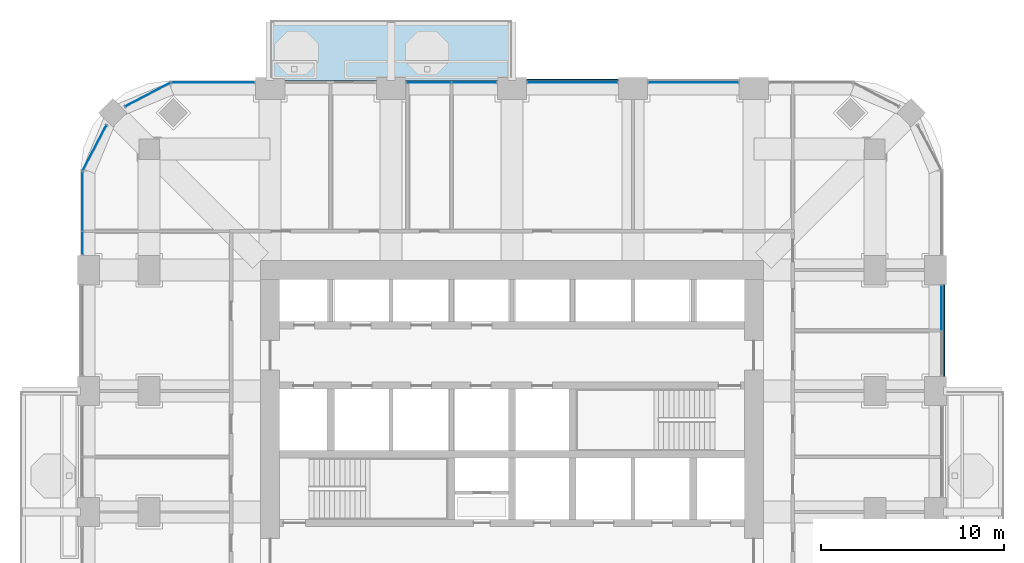
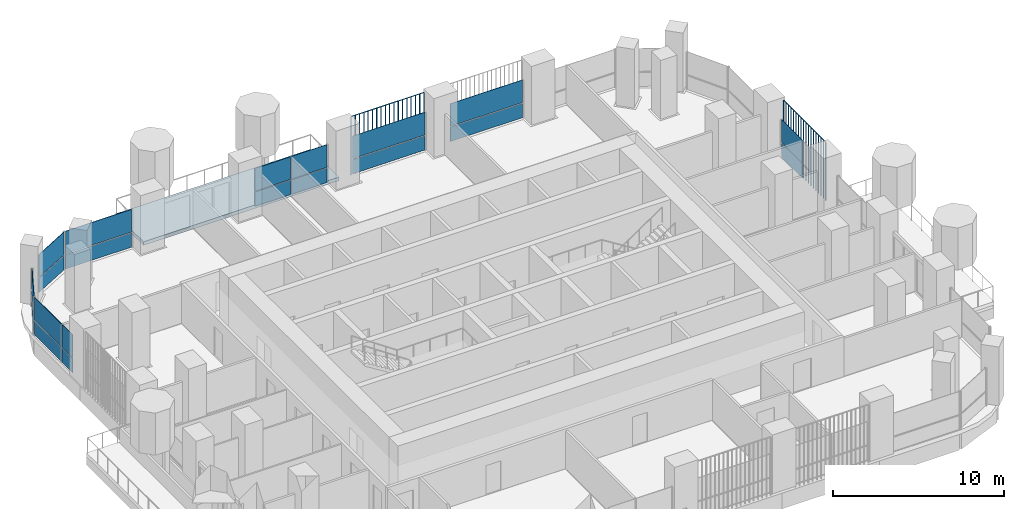
# One storey, part 10 of 20: 22 plates, 1 slab, 8 elements without a shape of their own.
"""IFC4 building model written with IfcOpenShell, lengths in metres."""

from ifc_helpers import new_model, si_unit, direction, frame, origin, origin_2d, place, context, subcontext, project, spatial, polyline, rectangle, outline, extrude, material, layer, layer_set, type_object, element, aggregate, save


model = new_model("IFC4")

# Units and contexts
model_context = context("Model", 3, precision=1e-05, world=origin(), true_north=direction((0.0, 1.0)))
body_context = subcontext(model_context, "Body", "Model", "MODEL_VIEW")
ifc_project = project(units=[si_unit("LENGTHUNIT", "METRE"), si_unit("AREAUNIT", "SQUARE_METRE"), si_unit("VOLUMEUNIT", "CUBIC_METRE"), si_unit("PLANEANGLEUNIT", "RADIAN"), si_unit("MASSUNIT", "GRAM", prefix="KILO")], contexts=[model_context])

# Site, building, storey
site_placement = place(None, origin())
site = spatial("IfcSite", under=ifc_project, at=site_placement, CompositionType="ELEMENT")
building_placement = place(site_placement, origin())
building = spatial("IfcBuilding", under=site, at=building_placement, Name="Cobogo Forest Laboratory Tower", CompositionType="ELEMENT")
storey_placement = place(building_placement, frame((0.0, 0.0, 176.699951171875)))
storey = spatial("IfcBuildingStorey", under=building, at=storey_placement, Name="L40", CompositionType="ELEMENT", Elevation=176.699951171875)

# Slab
ifc_material_1 = material(Name="Concrete HA-40 (C40/50)", Category="concrete")
ifc_layer_1 = layer(ifc_material_1, 0.25)
ifc_layer_set_1 = layer_set([ifc_layer_1], Name="Balcony slab 250")
slab_type = type_object("IfcSlabType", Name="Balcony slab 250", PredefinedType="FLOOR", material=ifc_layer_set_1)
slab_placement = place(storey_placement, frame((0.0, 0.0, -0.25)))
element("IfcSlab", 1, at=slab_placement, inside=storey, type_object=slab_type, Name="Balcony BAL-N1 L40", PredefinedType="FLOOR", context=body_context, shape_type="SweptSolid", body=[
    extrude(outline(polyline([(13.199951171875, 43.35009765625), (26.39990234375, 43.35009765625), (26.39990234375, 46.64990234375), (13.199951171875, 46.64990234375), (13.199951171875, 43.35009765625)])), origin(), (0.0, 0.0, 1.0), 0.25),
])

# Curtain wall, plates
ifc_material_2 = material(Name="Aluminium curtain wall", Category="aluminium")
curtain_wall_type = type_object("IfcCurtainWallType", Name="CW-2 unitised curtain wall, solar control glazing, laboratory floors zones C and D", PredefinedType="USERDEFINED", material=ifc_material_2)
curtain_wall_1_placement = place(storey_placement, origin())
curtain_wall_1 = element("IfcCurtainWall", 2, at=curtain_wall_1_placement, inside=storey, type_object=curtain_wall_type, Name="Curtain wall 12 L40", ObjectType="UNITISED CURTAIN WALL", PredefinedType="USERDEFINED")
ifc_material_3 = material(Name="Solar control insulated glass", Category="glass")
ifc_layer_2 = layer(ifc_material_3, 0.031982421875)
ifc_layer_set_2 = layer_set([ifc_layer_2], Name="GP-2 solar control glass unit 32")
plate_type_1 = type_object("IfcPlateType", Name="GP-2 solar control glass unit 32", PredefinedType="CURTAIN_PANEL", material=ifc_layer_set_2)
plate_1_placement = place(storey_placement, frame((49.85009765625, 30.93505859375, 0.0), z_axis=(0.0, 0.0, 1.0), x_axis=(0.0, 1.0, 0.0)))
plate_1 = element("IfcPlate", 3, at=plate_1_placement, type_object=plate_type_1, Name="CW-2 panel 2.1", PredefinedType="CURTAIN_PANEL", context=body_context, shape_type="SweptSolid", body=[
    extrude(rectangle(XDim=2.409912109375, YDim=0.031982421875, at=origin_2d()), origin(), (0.0, 0.0, 1.0), 1.02001953125),
])
plate_2_placement = place(storey_placement, frame((49.85009765625, 30.93505859375, 1.080078125), z_axis=(0.0, 0.0, 1.0), x_axis=(0.0, 1.0, 0.0)))
plate_2 = element("IfcPlate", 4, at=plate_2_placement, type_object=plate_type_1, Name="CW-2 panel 2.2", PredefinedType="CURTAIN_PANEL", context=body_context, shape_type="SweptSolid", body=[
    extrude(rectangle(XDim=2.409912109375, YDim=0.031982421875, at=origin_2d()), origin(), (0.0, 0.0, 1.0), 1.6201171875),
])
aggregate(curtain_wall_1, [plate_1, plate_2])

curtain_wall_2_placement = place(storey_placement, origin())
curtain_wall_2 = element("IfcCurtainWall", 5, at=curtain_wall_2_placement, inside=storey, type_object=curtain_wall_type, Name="Curtain wall 17 L40", ObjectType="UNITISED CURTAIN WALL", PredefinedType="USERDEFINED")
plate_3_placement = place(storey_placement, frame((36.300048828125, 43.25, 0.0), z_axis=(0.0, 0.0, 1.0), x_axis=(-1.0, 0.0, 0.0)))
plate_3 = element("IfcPlate", 6, at=plate_3_placement, type_object=plate_type_1, Name="CW-2 panel 1.1", PredefinedType="CURTAIN_PANEL", context=body_context, shape_type="SweptSolid", body=[
    extrude(rectangle(XDim=4.8798828125, YDim=0.031982421875, at=origin_2d()), origin(), (0.0, 0.0, 1.0), 1.02001953125),
])
plate_4_placement = place(storey_placement, frame((36.300048828125, 43.25, 1.080078125), z_axis=(0.0, 0.0, 1.0), x_axis=(-1.0, 0.0, 0.0)))
plate_4 = element("IfcPlate", 7, at=plate_4_placement, type_object=plate_type_1, Name="CW-2 panel 1.2", PredefinedType="CURTAIN_PANEL", context=body_context, shape_type="SweptSolid", body=[
    extrude(rectangle(XDim=4.8798828125, YDim=0.031982421875, at=origin_2d()), origin(), (0.0, 0.0, 1.0), 1.6201171875),
])
aggregate(curtain_wall_2, [plate_3, plate_4])

curtain_wall_3_placement = place(storey_placement, origin())
curtain_wall_3 = element("IfcCurtainWall", 8, at=curtain_wall_3_placement, inside=storey, type_object=curtain_wall_type, Name="Curtain wall 18 L40", ObjectType="UNITISED CURTAIN WALL", PredefinedType="USERDEFINED")
plate_5_placement = place(storey_placement, frame((29.699951171875, 43.25, 0.0), z_axis=(0.0, 0.0, 1.0), x_axis=(-1.0, 0.0, 0.0)))
plate_5 = element("IfcPlate", 9, at=plate_5_placement, type_object=plate_type_1, Name="CW-2 panel 1.1", PredefinedType="CURTAIN_PANEL", context=body_context, shape_type="SweptSolid", body=[
    extrude(rectangle(XDim=4.8798828125, YDim=0.031982421875, at=origin_2d()), origin(), (0.0, 0.0, 1.0), 1.02001953125),
])
plate_6_placement = place(storey_placement, frame((29.699951171875, 43.25, 1.080078125), z_axis=(0.0, 0.0, 1.0), x_axis=(-1.0, 0.0, 0.0)))
plate_6 = element("IfcPlate", 10, at=plate_6_placement, type_object=plate_type_1, Name="CW-2 panel 1.2", PredefinedType="CURTAIN_PANEL", context=body_context, shape_type="SweptSolid", body=[
    extrude(rectangle(XDim=4.8798828125, YDim=0.031982421875, at=origin_2d()), origin(), (0.0, 0.0, 1.0), 1.6201171875),
])
aggregate(curtain_wall_3, [plate_5, plate_6])

curtain_wall_4_placement = place(storey_placement, origin())
curtain_wall_4 = element("IfcCurtainWall", 11, at=curtain_wall_4_placement, inside=storey, type_object=curtain_wall_type, Name="Curtain wall 19 L40", ObjectType="UNITISED CURTAIN WALL", PredefinedType="USERDEFINED")
plate_7_placement = place(storey_placement, frame((24.3349609375, 43.25, 0.0), z_axis=(0.0, 0.0, 1.0), x_axis=(-1.0, 0.0, 0.0)))
plate_7 = element("IfcPlate", 12, at=plate_7_placement, type_object=plate_type_1, Name="CW-2 panel 1.1", PredefinedType="CURTAIN_PANEL", context=body_context, shape_type="SweptSolid", body=[
    extrude(rectangle(XDim=2.409912109375, YDim=0.031982421875, at=origin_2d()), origin(), (0.0, 0.0, 1.0), 1.02001953125),
])
plate_8_placement = place(storey_placement, frame((24.3349609375, 43.25, 1.080078125), z_axis=(0.0, 0.0, 1.0), x_axis=(-1.0, 0.0, 0.0)))
plate_8 = element("IfcPlate", 13, at=plate_8_placement, type_object=plate_type_1, Name="CW-2 panel 1.2", PredefinedType="CURTAIN_PANEL", context=body_context, shape_type="SweptSolid", body=[
    extrude(rectangle(XDim=2.409912109375, YDim=0.031982421875, at=origin_2d()), origin(), (0.0, 0.0, 1.0), 1.6201171875),
])
plate_9_placement = place(storey_placement, frame((21.864990234375, 43.25, 0.0), z_axis=(0.0, 0.0, 1.0), x_axis=(-1.0, 0.0, 0.0)))
plate_9 = element("IfcPlate", 14, at=plate_9_placement, type_object=plate_type_1, Name="CW-2 panel 2.1", PredefinedType="CURTAIN_PANEL", context=body_context, shape_type="SweptSolid", body=[
    extrude(rectangle(XDim=2.409912109375, YDim=0.031982421875, at=origin_2d()), origin(), (0.0, 0.0, 1.0), 1.02001953125),
])
plate_10_placement = place(storey_placement, frame((21.864990234375, 43.25, 1.080078125), z_axis=(0.0, 0.0, 1.0), x_axis=(-1.0, 0.0, 0.0)))
plate_10 = element("IfcPlate", 15, at=plate_10_placement, type_object=plate_type_1, Name="CW-2 panel 2.2", PredefinedType="CURTAIN_PANEL", context=body_context, shape_type="SweptSolid", body=[
    extrude(rectangle(XDim=2.409912109375, YDim=0.031982421875, at=origin_2d()), origin(), (0.0, 0.0, 1.0), 1.6201171875),
])
aggregate(curtain_wall_4, [plate_7, plate_8, plate_9, plate_10])

curtain_wall_5_placement = place(storey_placement, origin())
curtain_wall_5 = element("IfcCurtainWall", 16, at=curtain_wall_5_placement, inside=storey, type_object=curtain_wall_type, Name="Curtain wall 21 L40", ObjectType="UNITISED CURTAIN WALL", PredefinedType="USERDEFINED")
plate_11_placement = place(storey_placement, frame((10.10009765625, 43.25, 0.0), z_axis=(0.0, 0.0, 1.0), x_axis=(-1.0, 0.0, 0.0)))
plate_11 = element("IfcPlate", 17, at=plate_11_placement, type_object=plate_type_1, Name="CW-2 panel 1.1", PredefinedType="CURTAIN_PANEL", context=body_context, shape_type="SweptSolid", body=[
    extrude(rectangle(XDim=4.47998046875, YDim=0.031982421875, at=origin_2d()), origin(), (0.0, 0.0, 1.0), 1.02001953125),
])
plate_12_placement = place(storey_placement, frame((10.10009765625, 43.25, 1.080078125), z_axis=(0.0, 0.0, 1.0), x_axis=(-1.0, 0.0, 0.0)))
plate_12 = element("IfcPlate", 18, at=plate_12_placement, type_object=plate_type_1, Name="CW-2 panel 1.2", PredefinedType="CURTAIN_PANEL", context=body_context, shape_type="SweptSolid", body=[
    extrude(rectangle(XDim=4.47998046875, YDim=0.031982421875, at=origin_2d()), origin(), (0.0, 0.0, 1.0), 1.6201171875),
])
aggregate(curtain_wall_5, [plate_11, plate_12])

curtain_wall_6_placement = place(storey_placement, origin())
curtain_wall_6 = element("IfcCurtainWall", 19, at=curtain_wall_6_placement, inside=storey, type_object=curtain_wall_type, Name="Curtain wall 22 L40", ObjectType="UNITISED CURTAIN WALL", PredefinedType="USERDEFINED")
plate_13_placement = place(storey_placement, frame((6.5244140625, 42.581298828125, 0.0), z_axis=(0.0, 0.0, 1.0), x_axis=(-0.885686484356, -0.464283804832, 0.0)))
plate_13 = element("IfcPlate", 20, at=plate_13_placement, type_object=plate_type_1, Name="CW-2 panel 1.1", PredefinedType="CURTAIN_PANEL", context=body_context, shape_type="SweptSolid", body=[
    extrude(rectangle(XDim=2.76025390625, YDim=0.031982421875, at=origin_2d()), origin(), (0.0, 0.0, 1.0), 1.02001953125),
])
plate_14_placement = place(storey_placement, frame((6.5244140625, 42.581298828125, 1.080078125), z_axis=(0.0, 0.0, 1.0), x_axis=(-0.885686484356, -0.464283804832, 0.0)))
plate_14 = element("IfcPlate", 21, at=plate_14_placement, type_object=plate_type_1, Name="CW-2 panel 1.2", PredefinedType="CURTAIN_PANEL", context=body_context, shape_type="SweptSolid", body=[
    extrude(rectangle(XDim=2.76025390625, YDim=0.031982421875, at=origin_2d()), origin(), (0.0, 0.0, 1.0), 1.6201171875),
])
aggregate(curtain_wall_6, [plate_13, plate_14])

curtain_wall_7_placement = place(storey_placement, origin())
curtain_wall_7 = element("IfcCurtainWall", 22, at=curtain_wall_7_placement, inside=storey, type_object=curtain_wall_type, Name="Curtain wall 23 L40", ObjectType="UNITISED CURTAIN WALL", PredefinedType="USERDEFINED")
plate_15_placement = place(storey_placement, frame((3.61865234375, 39.675537109375, 0.0), z_axis=(0.0, 0.0, 1.0), x_axis=(-0.464283804832, -0.885686484356, 0.0)))
plate_15 = element("IfcPlate", 23, at=plate_15_placement, type_object=plate_type_1, Name="CW-2 panel 1.1", PredefinedType="CURTAIN_PANEL", context=body_context, shape_type="SweptSolid", body=[
    extrude(rectangle(XDim=2.76025390625, YDim=0.031982421875, at=origin_2d()), origin(), (0.0, 0.0, 1.0), 1.02001953125),
])
plate_16_placement = place(storey_placement, frame((3.61865234375, 39.675537109375, 1.080078125), z_axis=(0.0, 0.0, 1.0), x_axis=(-0.464283804832, -0.885686484356, 0.0)))
plate_16 = element("IfcPlate", 24, at=plate_16_placement, type_object=plate_type_1, Name="CW-2 panel 1.2", PredefinedType="CURTAIN_PANEL", context=body_context, shape_type="SweptSolid", body=[
    extrude(rectangle(XDim=2.76025390625, YDim=0.031982421875, at=origin_2d()), origin(), (0.0, 0.0, 1.0), 1.6201171875),
])
aggregate(curtain_wall_7, [plate_15, plate_16])

curtain_wall_8_placement = place(storey_placement, origin())
curtain_wall_8 = element("IfcCurtainWall", 25, at=curtain_wall_8_placement, inside=storey, type_object=curtain_wall_type, Name="Curtain wall 24 L40", ObjectType="UNITISED CURTAIN WALL", PredefinedType="USERDEFINED")
plate_17_placement = place(storey_placement, frame((2.949951171875, 36.74755859375, 0.0), z_axis=(0.0, 0.0, 1.0), x_axis=(0.0, -1.0, 0.0)))
plate_17 = element("IfcPlate", 26, at=plate_17_placement, type_object=plate_type_1, Name="CW-2 panel 1.1", PredefinedType="CURTAIN_PANEL", context=body_context, shape_type="SweptSolid", body=[
    extrude(rectangle(XDim=3.18505859375, YDim=0.031982421875, at=origin_2d()), origin(), (0.0, 0.0, 1.0), 1.02001953125),
])
plate_18_placement = place(storey_placement, frame((2.949951171875, 36.74755859375, 1.080078125), z_axis=(0.0, 0.0, 1.0), x_axis=(0.0, -1.0, 0.0)))
plate_18 = element("IfcPlate", 27, at=plate_18_placement, type_object=plate_type_1, Name="CW-2 panel 1.2", PredefinedType="CURTAIN_PANEL", context=body_context, shape_type="SweptSolid", body=[
    extrude(rectangle(XDim=3.18505859375, YDim=0.031982421875, at=origin_2d()), origin(), (0.0, 0.0, 1.0), 1.6201171875),
])
plate_19_placement = place(storey_placement, frame((2.949951171875, 34.4775390625, 0.0), z_axis=(0.0, 0.0, 1.0), x_axis=(0.0, -1.0, 0.0)))
plate_19 = element("IfcPlate", 28, at=plate_19_placement, type_object=plate_type_1, Name="CW-2 panel 2.1", PredefinedType="CURTAIN_PANEL", context=body_context, shape_type="SweptSolid", body=[
    extrude(rectangle(XDim=1.235107421875, YDim=0.031982421875, at=origin_2d()), origin(), (0.0, 0.0, 1.0), 1.02001953125),
])
plate_20_placement = place(storey_placement, frame((2.949951171875, 34.4775390625, 1.080078125), z_axis=(0.0, 0.0, 1.0), x_axis=(0.0, -1.0, 0.0)))
plate_20 = element("IfcPlate", 29, at=plate_20_placement, type_object=plate_type_1, Name="CW-2 panel 2.2", PredefinedType="CURTAIN_PANEL", context=body_context, shape_type="SweptSolid", body=[
    extrude(rectangle(XDim=1.235107421875, YDim=0.031982421875, at=origin_2d()), origin(), (0.0, 0.0, 1.0), 1.6201171875),
])
aggregate(curtain_wall_8, [plate_17, plate_18, plate_19, plate_20])

# Plates
ifc_material_4 = material(Name="Terracotta", Category="masonry")
plate_type_2 = type_object("IfcPlateType", Name="TB1 terracotta baguette screen", PredefinedType="USERDEFINED", material=ifc_material_4)
plate_21_placement = place(storey_placement, frame((49.977783203125, 27.231201171875, -0.14990234375)))
element("IfcPlate", 30, at=plate_21_placement, inside=storey, type_object=plate_type_2, Name="Baguette screen E3 L40", ObjectType="BAGUETTE SCREEN", PredefinedType="USERDEFINED", context=body_context, shape_type="SweptSolid", body=[
    extrude(outline(polyline([(0.02880859375, 0.011962890625), (0.011962890625, 0.02880859375), (-0.011962890625, 0.02880859375), (-0.02880859375, 0.011962890625), (-0.02880859375, -0.011962890625), (-0.011962890625, -0.02880859375), (0.011962890625, -0.02880859375), (0.02880859375, -0.011962890625), (0.02880859375, 0.011962890625)])), frame((0.0, 0.0, 4.168701171875), z_axis=(0.0, 1.0, 0.0), x_axis=(-1.0, 0.0, 0.0)), (0.0, 0.0, 1.0), 4.9375),
    extrude(outline(polyline([(0.02880859375, 0.011962890625), (0.011962890625, 0.02880859375), (-0.011962890625, 0.02880859375), (-0.02880859375, 0.011962890625), (-0.02880859375, -0.011962890625), (-0.011962890625, -0.02880859375), (0.011962890625, -0.02880859375), (0.02880859375, -0.011962890625), (0.02880859375, 0.011962890625)])), origin(), (0.0, 0.0, 1.0), 4.137451171875),
    extrude(outline(polyline([(0.02880859375, 0.011962890625), (0.011962890625, 0.02880859375), (-0.011962890625, 0.02880859375), (-0.02880859375, 0.011962890625), (-0.02880859375, -0.011962890625), (-0.011962890625, -0.02880859375), (0.011962890625, -0.02880859375), (0.02880859375, -0.011962890625), (0.02880859375, 0.011962890625)])), frame((0.0, 0.29052734375, 0.0)), (0.0, 0.0, 1.0), 4.137451171875),
    extrude(outline(polyline([(0.02880859375, 0.011962890625), (0.011962890625, 0.02880859375), (-0.011962890625, 0.02880859375), (-0.02880859375, 0.011962890625), (-0.02880859375, -0.011962890625), (-0.011962890625, -0.02880859375), (0.011962890625, -0.02880859375), (0.02880859375, -0.011962890625), (0.02880859375, 0.011962890625)])), frame((0.0, 0.580810546875, 0.0)), (0.0, 0.0, 1.0), 4.137451171875),
    extrude(outline(polyline([(0.02880859375, 0.011962890625), (0.011962890625, 0.02880859375), (-0.011962890625, 0.02880859375), (-0.02880859375, 0.011962890625), (-0.02880859375, -0.011962890625), (-0.011962890625, -0.02880859375), (0.011962890625, -0.02880859375), (0.02880859375, -0.011962890625), (0.02880859375, 0.011962890625)])), frame((0.0, 0.871337890625, 0.0)), (0.0, 0.0, 1.0), 4.137451171875),
    extrude(outline(polyline([(0.02880859375, 0.011962890625), (0.011962890625, 0.02880859375), (-0.011962890625, 0.02880859375), (-0.02880859375, 0.011962890625), (-0.02880859375, -0.011962890625), (-0.011962890625, -0.02880859375), (0.011962890625, -0.02880859375), (0.02880859375, -0.011962890625), (0.02880859375, 0.011962890625)])), frame((0.0, 1.161865234375, 0.0)), (0.0, 0.0, 1.0), 4.137451171875),
    extrude(outline(polyline([(0.02880859375, 0.011962890625), (0.011962890625, 0.02880859375), (-0.011962890625, 0.02880859375), (-0.02880859375, 0.011962890625), (-0.02880859375, -0.011962890625), (-0.011962890625, -0.02880859375), (0.011962890625, -0.02880859375), (0.02880859375, -0.011962890625), (0.02880859375, 0.011962890625)])), frame((0.0, 1.4521484375, 0.0)), (0.0, 0.0, 1.0), 4.137451171875),
    extrude(outline(polyline([(0.02880859375, 0.011962890625), (0.011962890625, 0.02880859375), (-0.011962890625, 0.02880859375), (-0.02880859375, 0.011962890625), (-0.02880859375, -0.011962890625), (-0.011962890625, -0.02880859375), (0.011962890625, -0.02880859375), (0.02880859375, -0.011962890625), (0.02880859375, 0.011962890625)])), frame((0.0, 1.74267578125, 0.0)), (0.0, 0.0, 1.0), 4.137451171875),
    extrude(outline(polyline([(0.02880859375, 0.011962890625), (0.011962890625, 0.02880859375), (-0.011962890625, 0.02880859375), (-0.02880859375, 0.011962890625), (-0.02880859375, -0.011962890625), (-0.011962890625, -0.02880859375), (0.011962890625, -0.02880859375), (0.02880859375, -0.011962890625), (0.02880859375, 0.011962890625)])), frame((0.0, 2.033203125, 0.0)), (0.0, 0.0, 1.0), 4.137451171875),
    extrude(outline(polyline([(0.02880859375, 0.011962890625), (0.011962890625, 0.02880859375), (-0.011962890625, 0.02880859375), (-0.02880859375, 0.011962890625), (-0.02880859375, -0.011962890625), (-0.011962890625, -0.02880859375), (0.011962890625, -0.02880859375), (0.02880859375, -0.011962890625), (0.02880859375, 0.011962890625)])), frame((0.0, 2.323486328125, 0.0)), (0.0, 0.0, 1.0), 4.137451171875),
    extrude(outline(polyline([(0.02880859375, 0.011962890625), (0.011962890625, 0.02880859375), (-0.011962890625, 0.02880859375), (-0.02880859375, 0.011962890625), (-0.02880859375, -0.011962890625), (-0.011962890625, -0.02880859375), (0.011962890625, -0.02880859375), (0.02880859375, -0.011962890625), (0.02880859375, 0.011962890625)])), frame((0.0, 2.614013671875, 0.0)), (0.0, 0.0, 1.0), 4.137451171875),
    extrude(outline(polyline([(0.02880859375, 0.011962890625), (0.011962890625, 0.02880859375), (-0.011962890625, 0.02880859375), (-0.02880859375, 0.011962890625), (-0.02880859375, -0.011962890625), (-0.011962890625, -0.02880859375), (0.011962890625, -0.02880859375), (0.02880859375, -0.011962890625), (0.02880859375, 0.011962890625)])), frame((0.0, 2.904296875, 0.0)), (0.0, 0.0, 1.0), 4.137451171875),
    extrude(outline(polyline([(0.02880859375, 0.011962890625), (0.011962890625, 0.02880859375), (-0.011962890625, 0.02880859375), (-0.02880859375, 0.011962890625), (-0.02880859375, -0.011962890625), (-0.011962890625, -0.02880859375), (0.011962890625, -0.02880859375), (0.02880859375, -0.011962890625), (0.02880859375, 0.011962890625)])), frame((0.0, 3.19482421875, 0.0)), (0.0, 0.0, 1.0), 4.137451171875),
    extrude(outline(polyline([(0.02880859375, 0.011962890625), (0.011962890625, 0.02880859375), (-0.011962890625, 0.02880859375), (-0.02880859375, 0.011962890625), (-0.02880859375, -0.011962890625), (-0.011962890625, -0.02880859375), (0.011962890625, -0.02880859375), (0.02880859375, -0.011962890625), (0.02880859375, 0.011962890625)])), frame((0.0, 3.4853515625, 0.0)), (0.0, 0.0, 1.0), 4.137451171875),
    extrude(outline(polyline([(0.02880859375, 0.011962890625), (0.011962890625, 0.02880859375), (-0.011962890625, 0.02880859375), (-0.02880859375, 0.011962890625), (-0.02880859375, -0.011962890625), (-0.011962890625, -0.02880859375), (0.011962890625, -0.02880859375), (0.02880859375, -0.011962890625), (0.02880859375, 0.011962890625)])), frame((0.0, 3.775634765625, 0.0)), (0.0, 0.0, 1.0), 4.137451171875),
    extrude(outline(polyline([(0.02880859375, 0.011962890625), (0.011962890625, 0.02880859375), (-0.011962890625, 0.02880859375), (-0.02880859375, 0.011962890625), (-0.02880859375, -0.011962890625), (-0.011962890625, -0.02880859375), (0.011962890625, -0.02880859375), (0.02880859375, -0.011962890625), (0.02880859375, 0.011962890625)])), frame((0.0, 4.066162109375, 0.0)), (0.0, 0.0, 1.0), 4.137451171875),
    extrude(outline(polyline([(0.02880859375, 0.011962890625), (0.011962890625, 0.02880859375), (-0.011962890625, 0.02880859375), (-0.02880859375, 0.011962890625), (-0.02880859375, -0.011962890625), (-0.011962890625, -0.02880859375), (0.011962890625, -0.02880859375), (0.02880859375, -0.011962890625), (0.02880859375, 0.011962890625)])), frame((0.0, 4.356689453125, 0.0)), (0.0, 0.0, 1.0), 4.137451171875),
    extrude(outline(polyline([(0.02880859375, 0.011962890625), (0.011962890625, 0.02880859375), (-0.011962890625, 0.02880859375), (-0.02880859375, 0.011962890625), (-0.02880859375, -0.011962890625), (-0.011962890625, -0.02880859375), (0.011962890625, -0.02880859375), (0.02880859375, -0.011962890625), (0.02880859375, 0.011962890625)])), frame((0.0, 4.64697265625, 0.0)), (0.0, 0.0, 1.0), 4.137451171875),
    extrude(outline(polyline([(0.02880859375, 0.011962890625), (0.011962890625, 0.02880859375), (-0.011962890625, 0.02880859375), (-0.02880859375, 0.011962890625), (-0.02880859375, -0.011962890625), (-0.011962890625, -0.02880859375), (0.011962890625, -0.02880859375), (0.02880859375, -0.011962890625), (0.02880859375, 0.011962890625)])), frame((0.0, 4.9375, 0.0)), (0.0, 0.0, 1.0), 4.137451171875),
])
plate_22_placement = place(storey_placement, frame((27.231201171875, 43.3779296875, -0.14990234375)))
element("IfcPlate", 31, at=plate_22_placement, inside=storey, type_object=plate_type_2, Name="Baguette screen N3 L40", ObjectType="BAGUETTE SCREEN", PredefinedType="USERDEFINED", context=body_context, shape_type="SweptSolid", body=[
    extrude(outline(polyline([(0.02880859375, 0.011962890625), (0.011962890625, 0.02880859375), (-0.011962890625, 0.02880859375), (-0.02880859375, 0.011962890625), (-0.02880859375, -0.011962890625), (-0.011962890625, -0.02880859375), (0.011962890625, -0.02880859375), (0.02880859375, -0.011962890625), (0.02880859375, 0.011962890625)])), frame((0.0, 0.0, 4.168701171875), z_axis=(1.0, 0.0, 0.0), x_axis=(0.0, 1.0, 0.0)), (0.0, 0.0, 1.0), 4.9375),
    extrude(outline(polyline([(0.02880859375, 0.011962890625), (0.011962890625, 0.02880859375), (-0.011962890625, 0.02880859375), (-0.02880859375, 0.011962890625), (-0.02880859375, -0.011962890625), (-0.011962890625, -0.02880859375), (0.011962890625, -0.02880859375), (0.02880859375, -0.011962890625), (0.02880859375, 0.011962890625)])), origin(), (0.0, 0.0, 1.0), 4.137451171875),
    extrude(outline(polyline([(0.02880859375, 0.011962890625), (0.011962890625, 0.02880859375), (-0.011962890625, 0.02880859375), (-0.02880859375, 0.011962890625), (-0.02880859375, -0.011962890625), (-0.011962890625, -0.02880859375), (0.011962890625, -0.02880859375), (0.02880859375, -0.011962890625), (0.02880859375, 0.011962890625)])), frame((0.29052734375, 0.0, 0.0)), (0.0, 0.0, 1.0), 4.137451171875),
    extrude(outline(polyline([(0.02880859375, 0.011962890625), (0.011962890625, 0.02880859375), (-0.011962890625, 0.02880859375), (-0.02880859375, 0.011962890625), (-0.02880859375, -0.011962890625), (-0.011962890625, -0.02880859375), (0.011962890625, -0.02880859375), (0.02880859375, -0.011962890625), (0.02880859375, 0.011962890625)])), frame((0.580810546875, 0.0, 0.0)), (0.0, 0.0, 1.0), 4.137451171875),
    extrude(outline(polyline([(0.02880859375, 0.011962890625), (0.011962890625, 0.02880859375), (-0.011962890625, 0.02880859375), (-0.02880859375, 0.011962890625), (-0.02880859375, -0.011962890625), (-0.011962890625, -0.02880859375), (0.011962890625, -0.02880859375), (0.02880859375, -0.011962890625), (0.02880859375, 0.011962890625)])), frame((0.871337890625, 0.0, 0.0)), (0.0, 0.0, 1.0), 4.137451171875),
    extrude(outline(polyline([(0.02880859375, 0.011962890625), (0.011962890625, 0.02880859375), (-0.011962890625, 0.02880859375), (-0.02880859375, 0.011962890625), (-0.02880859375, -0.011962890625), (-0.011962890625, -0.02880859375), (0.011962890625, -0.02880859375), (0.02880859375, -0.011962890625), (0.02880859375, 0.011962890625)])), frame((1.161865234375, 0.0, 0.0)), (0.0, 0.0, 1.0), 4.137451171875),
    extrude(outline(polyline([(0.02880859375, 0.011962890625), (0.011962890625, 0.02880859375), (-0.011962890625, 0.02880859375), (-0.02880859375, 0.011962890625), (-0.02880859375, -0.011962890625), (-0.011962890625, -0.02880859375), (0.011962890625, -0.02880859375), (0.02880859375, -0.011962890625), (0.02880859375, 0.011962890625)])), frame((1.4521484375, 0.0, 0.0)), (0.0, 0.0, 1.0), 4.137451171875),
    extrude(outline(polyline([(0.02880859375, 0.011962890625), (0.011962890625, 0.02880859375), (-0.011962890625, 0.02880859375), (-0.02880859375, 0.011962890625), (-0.02880859375, -0.011962890625), (-0.011962890625, -0.02880859375), (0.011962890625, -0.02880859375), (0.02880859375, -0.011962890625), (0.02880859375, 0.011962890625)])), frame((1.74267578125, 0.0, 0.0)), (0.0, 0.0, 1.0), 4.137451171875),
    extrude(outline(polyline([(0.02880859375, 0.011962890625), (0.011962890625, 0.02880859375), (-0.011962890625, 0.02880859375), (-0.02880859375, 0.011962890625), (-0.02880859375, -0.011962890625), (-0.011962890625, -0.02880859375), (0.011962890625, -0.02880859375), (0.02880859375, -0.011962890625), (0.02880859375, 0.011962890625)])), frame((2.033203125, 0.0, 0.0)), (0.0, 0.0, 1.0), 4.137451171875),
    extrude(outline(polyline([(0.02880859375, 0.011962890625), (0.011962890625, 0.02880859375), (-0.011962890625, 0.02880859375), (-0.02880859375, 0.011962890625), (-0.02880859375, -0.011962890625), (-0.011962890625, -0.02880859375), (0.011962890625, -0.02880859375), (0.02880859375, -0.011962890625), (0.02880859375, 0.011962890625)])), frame((2.323486328125, 0.0, 0.0)), (0.0, 0.0, 1.0), 4.137451171875),
    extrude(outline(polyline([(0.02880859375, 0.011962890625), (0.011962890625, 0.02880859375), (-0.011962890625, 0.02880859375), (-0.02880859375, 0.011962890625), (-0.02880859375, -0.011962890625), (-0.011962890625, -0.02880859375), (0.011962890625, -0.02880859375), (0.02880859375, -0.011962890625), (0.02880859375, 0.011962890625)])), frame((2.614013671875, 0.0, 0.0)), (0.0, 0.0, 1.0), 4.137451171875),
    extrude(outline(polyline([(0.02880859375, 0.011962890625), (0.011962890625, 0.02880859375), (-0.011962890625, 0.02880859375), (-0.02880859375, 0.011962890625), (-0.02880859375, -0.011962890625), (-0.011962890625, -0.02880859375), (0.011962890625, -0.02880859375), (0.02880859375, -0.011962890625), (0.02880859375, 0.011962890625)])), frame((2.904296875, 0.0, 0.0)), (0.0, 0.0, 1.0), 4.137451171875),
    extrude(outline(polyline([(0.02880859375, 0.011962890625), (0.011962890625, 0.02880859375), (-0.011962890625, 0.02880859375), (-0.02880859375, 0.011962890625), (-0.02880859375, -0.011962890625), (-0.011962890625, -0.02880859375), (0.011962890625, -0.02880859375), (0.02880859375, -0.011962890625), (0.02880859375, 0.011962890625)])), frame((3.19482421875, 0.0, 0.0)), (0.0, 0.0, 1.0), 4.137451171875),
    extrude(outline(polyline([(0.02880859375, 0.011962890625), (0.011962890625, 0.02880859375), (-0.011962890625, 0.02880859375), (-0.02880859375, 0.011962890625), (-0.02880859375, -0.011962890625), (-0.011962890625, -0.02880859375), (0.011962890625, -0.02880859375), (0.02880859375, -0.011962890625), (0.02880859375, 0.011962890625)])), frame((3.4853515625, 0.0, 0.0)), (0.0, 0.0, 1.0), 4.137451171875),
    extrude(outline(polyline([(0.02880859375, 0.011962890625), (0.011962890625, 0.02880859375), (-0.011962890625, 0.02880859375), (-0.02880859375, 0.011962890625), (-0.02880859375, -0.011962890625), (-0.011962890625, -0.02880859375), (0.011962890625, -0.02880859375), (0.02880859375, -0.011962890625), (0.02880859375, 0.011962890625)])), frame((3.775634765625, 0.0, 0.0)), (0.0, 0.0, 1.0), 4.137451171875),
    extrude(outline(polyline([(0.02880859375, 0.011962890625), (0.011962890625, 0.02880859375), (-0.011962890625, 0.02880859375), (-0.02880859375, 0.011962890625), (-0.02880859375, -0.011962890625), (-0.011962890625, -0.02880859375), (0.011962890625, -0.02880859375), (0.02880859375, -0.011962890625), (0.02880859375, 0.011962890625)])), frame((4.066162109375, 0.0, 0.0)), (0.0, 0.0, 1.0), 4.137451171875),
    extrude(outline(polyline([(0.02880859375, 0.011962890625), (0.011962890625, 0.02880859375), (-0.011962890625, 0.02880859375), (-0.02880859375, 0.011962890625), (-0.02880859375, -0.011962890625), (-0.011962890625, -0.02880859375), (0.011962890625, -0.02880859375), (0.02880859375, -0.011962890625), (0.02880859375, 0.011962890625)])), frame((4.356689453125, 0.0, 0.0)), (0.0, 0.0, 1.0), 4.137451171875),
    extrude(outline(polyline([(0.02880859375, 0.011962890625), (0.011962890625, 0.02880859375), (-0.011962890625, 0.02880859375), (-0.02880859375, 0.011962890625), (-0.02880859375, -0.011962890625), (-0.011962890625, -0.02880859375), (0.011962890625, -0.02880859375), (0.02880859375, -0.011962890625), (0.02880859375, 0.011962890625)])), frame((4.64697265625, 0.0, 0.0)), (0.0, 0.0, 1.0), 4.137451171875),
    extrude(outline(polyline([(0.02880859375, 0.011962890625), (0.011962890625, 0.02880859375), (-0.011962890625, 0.02880859375), (-0.02880859375, 0.011962890625), (-0.02880859375, -0.011962890625), (-0.011962890625, -0.02880859375), (0.011962890625, -0.02880859375), (0.02880859375, -0.011962890625), (0.02880859375, 0.011962890625)])), frame((4.9375, 0.0, 0.0)), (0.0, 0.0, 1.0), 4.137451171875),
])

save(model, "model.ifc")
